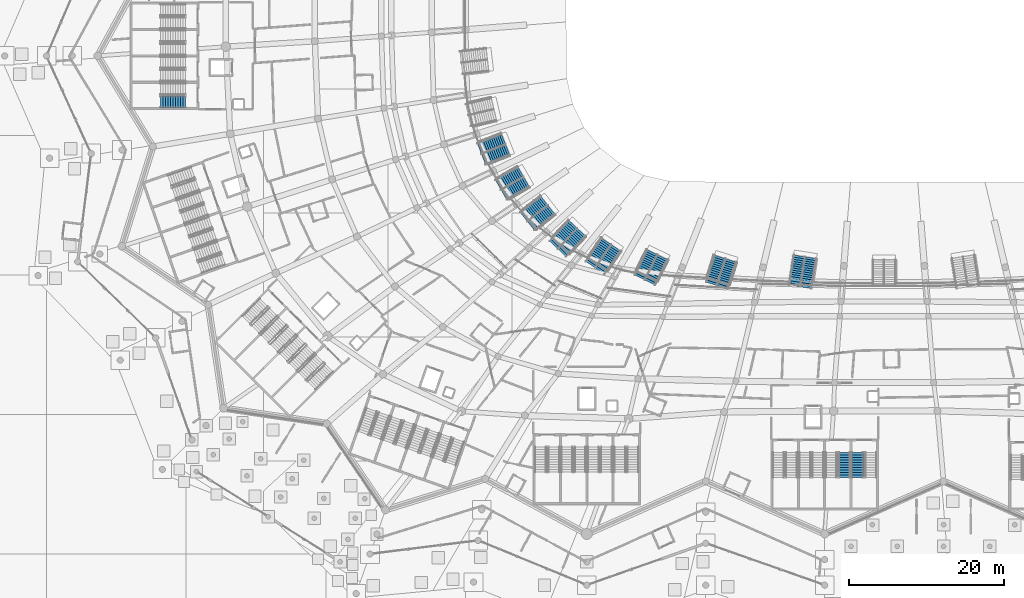
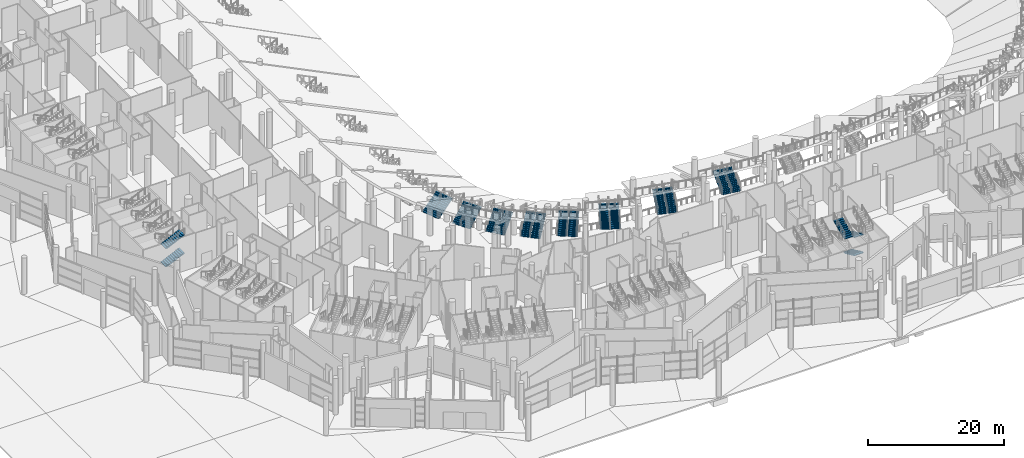
# One storey, part 162 of 255: 21 stair flights, 11 elements without a shape of their own.
"""IFC4 building model written with IfcOpenShell, lengths in metres."""

import ifcopenshell
import ifcopenshell.guid

model = None  # the IFC model being written
_history = None  # IfcOwnerHistory: only IFC2X3 demands one
_inside = {}  # id of a spatial element -> (the spatial element, [elements in it])
_under = {}  # id of a project, library or spatial element -> (it, [spatial elements below it])
_declared = {}  # id of a project -> (the project, [libraries it declares])
_typed = {}  # id of a type object -> (the type object, [elements of that type])
_made_of = {}  # id of a material, layer set ... -> (it, [elements and type objects made of it])


def new_model(schema):
    """Start an empty IFC model of exactly this schema.

    Asked for "IFC4X3", IfcOpenShell would pick the latest addendum, in which some entities
    have other attributes; the version numbers below select the first issue.
    IFC2X3 requires an IfcOwnerHistory on every rooted entity: one is made here for all.
    """
    global model, _history
    if schema == "IFC4X3":
        model = ifcopenshell.file(schema_version=(4, 3, 0, 0))
    else:
        model = ifcopenshell.file(schema=schema)
    _inside.clear()
    _under.clear()
    _declared.clear()
    _typed.clear()
    _made_of.clear()
    _history = None
    if model.schema == "IFC2X3":
        org = make("IfcOrganization", Name="unknown")
        user = make(
            "IfcPersonAndOrganization",
            ThePerson=make("IfcPerson", FamilyName="unknown"),
            TheOrganization=org,
        )
        app = make(
            "IfcApplication",
            ApplicationDeveloper=org,
            Version="unknown",
            ApplicationFullName="unknown",
            ApplicationIdentifier="unknown",
        )
        _history = make(
            "IfcOwnerHistory",
            OwningUser=user,
            OwningApplication=app,
            ChangeAction="ADDED",
            CreationDate=0,
        )
    return model


def make(cls, **values):
    """One entity of the class cls with the attributes given. An attribute that is None is left unset."""
    return model.create_entity(
        cls, **{name: value for name, value in values.items() if value is not None}
    )


def rooted(cls, **values):
    """An entity with a GlobalId (a new one), such as an element, a storey or a relation."""
    return make(cls, GlobalId=ifcopenshell.guid.new(), OwnerHistory=_history, **values)


def si_unit(unit_type, name, prefix=None):
    """IfcSIUnit, for example si_unit("LENGTHUNIT", "METRE", prefix="MILLI")."""
    return make("IfcSIUnit", UnitType=unit_type, Prefix=prefix, Name=name)


def assignment(units):
    """IfcUnitAssignment: the units of a project."""
    return None if units is None else make("IfcUnitAssignment", Units=units)


def point(xyz):
    """IfcCartesianPoint."""
    return None if xyz is None else make("IfcCartesianPoint", Coordinates=xyz)


def direction(xyz):
    """IfcDirection."""
    return None if xyz is None else make("IfcDirection", DirectionRatios=xyz)


def frame(location, z_axis=None, x_axis=None):
    """IfcAxis2Placement3D, a coordinate frame: its origin and axes. An axis left out is left unset."""
    return make(
        "IfcAxis2Placement3D",
        Location=point(location),
        Axis=direction(z_axis),
        RefDirection=direction(x_axis),
    )


def origin():
    """The frame at (0, 0, 0) with its axes left unset."""
    return frame((0.0, 0.0, 0.0))


def place(relative_to, where):
    """IfcLocalPlacement: puts the frame where relative to a parent placement (None: the world)."""
    return make(
        "IfcLocalPlacement", PlacementRelTo=relative_to, RelativePlacement=where
    )


def context(
    kind, dimensions, precision=None, world=None, true_north=None, identifier=None
):
    """IfcGeometricRepresentationContext, for example the 3D "Model" context."""
    return make(
        "IfcGeometricRepresentationContext",
        ContextIdentifier=identifier,
        ContextType=kind,
        CoordinateSpaceDimension=dimensions,
        Precision=precision,
        WorldCoordinateSystem=world,
        TrueNorth=true_north,
    )


def subcontext(parent, identifier, kind, view, scale=None):
    """IfcGeometricRepresentationSubContext, for example "Body" below "Model"."""
    return make(
        "IfcGeometricRepresentationSubContext",
        ContextIdentifier=identifier,
        ContextType=kind,
        ParentContext=parent,
        TargetScale=scale,
        TargetView=view,
    )


def project(units=None, contexts=None):
    """IfcProject with its units and contexts."""
    return rooted(
        "IfcProject",
        Name="project",
        RepresentationContexts=contexts,
        UnitsInContext=assignment(units),
    )


def spatial(cls, under=None, at=None, **own):
    """A site, building, storey or space (cls), placed at a placement, below another one or the project."""
    s = rooted(cls, ObjectPlacement=at, **own)
    if under is not None:
        _under.setdefault(under.id(), (under, []))[1].append(s)
    return s


def polyline(points):
    """IfcPolyline through the points."""
    return make("IfcPolyline", Points=[point(p) for p in points])


def outline(outer, holes=None, kind="AREA"):
    """IfcArbitraryClosedProfileDef: a profile drawn as a closed curve; with holes, ...WithVoids."""
    if holes is None:
        return make("IfcArbitraryClosedProfileDef", ProfileType=kind, OuterCurve=outer)
    return make(
        "IfcArbitraryProfileDefWithVoids",
        ProfileType=kind,
        OuterCurve=outer,
        InnerCurves=holes,
    )


def extrude(swept, where, along, depth):
    """IfcExtrudedAreaSolid: the profile swept, set in the frame where, extruded along a direction by depth."""
    return make(
        "IfcExtrudedAreaSolid",
        SweptArea=swept,
        Position=where,
        ExtrudedDirection=direction(along),
        Depth=depth,
    )


def shape(context_of_items, identifier, shape_type, items):
    """IfcShapeRepresentation: the items that make up one representation, for example the "Body"."""
    return make(
        "IfcShapeRepresentation",
        ContextOfItems=context_of_items,
        RepresentationIdentifier=identifier,
        RepresentationType=shape_type,
        Items=items,
    )


def material(Name=None, Category=None):
    """IfcMaterial."""
    return make("IfcMaterial", Name=Name, Category=Category)


def made_of(thing, what):
    """Note that an element or type object is made of a material, layer set ...; save() writes the relation."""
    if what is not None:
        _made_of.setdefault(what.id(), (what, []))[1].append(thing)
    return thing


def type_object(cls, material=None, **own):
    """A type object (cls), such as IfcWallType, which elements share."""
    return made_of(rooted(cls, **own), material)


def element(
    cls,
    number,
    at=None,
    inside=None,
    cuts=None,
    type_object=None,
    material=None,
    context=None,
    identifier="Body",
    shape_type=None,
    held_by="IfcProductDefinitionShape",
    body=None,
    shapes=None,
    **own,
):
    """One element of the class cls, such as IfcWall. Its Tag is "e" and its number.

    at: its placement. inside: the storey or other place that contains it. cuts: it is an
    opening in that element (IfcRelVoidsElement). A single representation is given by context,
    identifier, shape_type and body (its items); several are given by shapes. held_by: the class
    of the entity that holds the representations. save() writes the other relations.
    """
    e = rooted(cls, Tag="e%d" % number, ObjectPlacement=at, **own)
    if body is not None:
        shapes = [shape(context, identifier, shape_type, body)]
    if shapes is not None:
        e.Representation = make(held_by, Representations=shapes)
    if inside is not None:
        _inside.setdefault(inside.id(), (inside, []))[1].append(e)
    if cuts is not None:
        rooted(
            "IfcRelVoidsElement", RelatingBuildingElement=cuts, RelatedOpeningElement=e
        )
    if type_object is not None:
        _typed.setdefault(type_object.id(), (type_object, []))[1].append(e)
    return made_of(e, material)


def aggregate(whole, parts):
    """IfcRelAggregates: a whole, such as a stair, and the parts it consists of."""
    return rooted("IfcRelAggregates", RelatingObject=whole, RelatedObjects=parts)


def save(model, path):
    """Write the relations noted so far, then the file.

    IfcRelAggregates (storeys below a building ...), IfcRelContainedInSpatialStructure (elements
    in a storey), IfcRelDefinesByType, IfcRelAssociatesMaterial and IfcRelDeclares: one each for
    every whole, place, type object, material and project.
    """
    for whole, parts in _under.values():
        aggregate(whole, parts)
    for where, things in _inside.values():
        rooted(
            "IfcRelContainedInSpatialStructure",
            RelatedElements=things,
            RelatingStructure=where,
        )
    for kind, things in _typed.values():
        rooted("IfcRelDefinesByType", RelatedObjects=things, RelatingType=kind)
    for what, things in _made_of.values():
        rooted("IfcRelAssociatesMaterial", RelatedObjects=things, RelatingMaterial=what)
    for by, libraries in _declared.values():
        rooted("IfcRelDeclares", RelatingContext=by, RelatedDefinitions=libraries)
    model.write(path)


model = new_model("IFC4")

# Units and contexts
model_context = context("Model", 3, precision=1e-05, world=origin(), true_north=direction((0.0, 1.0)))
body_context = subcontext(model_context, "Body", "Model", "MODEL_VIEW")
ifc_project = project(units=[si_unit("LENGTHUNIT", "METRE"), si_unit("AREAUNIT", "SQUARE_METRE"), si_unit("VOLUMEUNIT", "CUBIC_METRE"), si_unit("PLANEANGLEUNIT", "RADIAN"), si_unit("MASSUNIT", "GRAM", prefix="KILO")], contexts=[model_context])

# Site, building, storey
site_placement = place(None, origin())
site = spatial("IfcSite", under=ifc_project, at=site_placement, CompositionType="ELEMENT")
building_placement = place(site_placement, origin())
building = spatial("IfcBuilding", under=site, at=building_placement, Name="Meseta Stadium", CompositionType="ELEMENT")
storey_placement = place(building_placement, origin())
storey = spatial("IfcBuildingStorey", under=building, at=storey_placement, Name="L00", CompositionType="ELEMENT", Elevation=0.0)

# Stair, stair flights
ifc_material_1 = material(Name="Concrete C40/50", Category="concrete")
stair_type_1 = type_object("IfcStairType", Name="Exit stair 4 flights 148 mm risers", PredefinedType="HALF_TURN_STAIR", material=ifc_material_1)
stair_1_placement = place(storey_placement, origin())
stair_1 = element("IfcStair", 1, at=stair_1_placement, inside=storey, type_object=stair_type_1, Name="ST76 L00", PredefinedType="HALF_TURN_STAIR")
ifc_material_2 = material(Name="Concrete C40/50", Category="concrete")
stair_flight_type_1 = type_object("IfcStairFlightType", Name="Exit stair flight 148 mm risers, 4 per storey", PredefinedType="STRAIGHT", material=ifc_material_2)
stair_flight_1_placement = place(storey_placement, frame((-93.300048828125, -49.699951171875, 1.625), z_axis=(0.0, 0.0, 1.0), x_axis=(1.0, 0.0, 0.0)))
stair_flight_1 = element("IfcStairFlight", 2, at=stair_flight_1_placement, type_object=stair_flight_type_1, Name="ST76 L00 flight 2", NumberOfRisers=11, NumberOfTreads=10, PredefinedType="STRAIGHT", RiserHeight=0.147727273, TreadLength=0.32, context=body_context, shape_type="SweptSolid", body=[
    extrude(outline(polyline([(0.0, 0.0), (0.0, 0.147705078125), (0.320068359375, 0.147705078125), (0.320068359375, 0.29541015625), (0.639892578125, 0.29541015625), (0.639892578125, 0.443115234375), (0.9599609375, 0.443115234375), (0.9599609375, 0.5908203125), (1.280029296875, 0.5908203125), (1.280029296875, 0.738525390625), (1.60009765625, 0.738525390625), (1.60009765625, 0.886474609375), (1.919921875, 0.886474609375), (1.919921875, 1.0341796875), (2.239990234375, 1.0341796875), (2.239990234375, 1.181884765625), (2.56005859375, 1.181884765625), (2.56005859375, 1.32958984375), (2.8798828125, 1.32958984375), (2.8798828125, 1.477294921875), (3.199951171875, 1.477294921875), (3.199951171875, 1.312255859375), (0.357666015625, 0.0), (0.0, 0.0)])), frame((0.0, 0.75, 0.0), z_axis=(0.0, -1.0, 0.0), x_axis=(1.0, 0.0, 0.0)), (0.0, 0.0, 1.0), 1.5),
])
stair_flight_2_placement = place(storey_placement, frame((-93.300048828125, -49.699951171875, 4.875), z_axis=(0.0, 0.0, 1.0), x_axis=(1.0, 0.0, 0.0)))
stair_flight_2 = element("IfcStairFlight", 3, at=stair_flight_2_placement, type_object=stair_flight_type_1, Name="ST76 L00 flight 4", NumberOfRisers=11, NumberOfTreads=10, PredefinedType="STRAIGHT", RiserHeight=0.147727273, TreadLength=0.32, context=body_context, shape_type="SweptSolid", body=[
    extrude(outline(polyline([(0.0, 0.0), (0.0, 0.147705078125), (0.320068359375, 0.147705078125), (0.320068359375, 0.29541015625), (0.639892578125, 0.29541015625), (0.639892578125, 0.443115234375), (0.9599609375, 0.443115234375), (0.9599609375, 0.5908203125), (1.280029296875, 0.5908203125), (1.280029296875, 0.738525390625), (1.60009765625, 0.738525390625), (1.60009765625, 0.886474609375), (1.919921875, 0.886474609375), (1.919921875, 1.0341796875), (2.239990234375, 1.0341796875), (2.239990234375, 1.181884765625), (2.56005859375, 1.181884765625), (2.56005859375, 1.32958984375), (2.8798828125, 1.32958984375), (2.8798828125, 1.477294921875), (3.199951171875, 1.477294921875), (3.199951171875, 1.312255859375), (0.357666015625, 0.0), (0.0, 0.0)])), frame((0.0, 0.75, 0.0), z_axis=(0.0, -1.0, 0.0), x_axis=(1.0, 0.0, 0.0)), (0.0, 0.0, 1.0), 1.5),
])
aggregate(stair_1, [stair_flight_1, stair_flight_2])

# Stair, stair flight
stair_2_placement = place(storey_placement, origin())
stair_2 = element("IfcStair", 4, at=stair_2_placement, inside=storey, type_object=stair_type_1, Name="ST95 L00", PredefinedType="HALF_TURN_STAIR")
stair_flight_3_placement = place(storey_placement, frame((-5.11669921875, -98.10009765625, 4.875), z_axis=(0.0, 0.0, 1.0), x_axis=(0.0, 1.0, 0.0)))
stair_flight_3 = element("IfcStairFlight", 5, at=stair_flight_3_placement, type_object=stair_flight_type_1, Name="ST95 L00 flight 4", NumberOfRisers=11, NumberOfTreads=10, PredefinedType="STRAIGHT", RiserHeight=0.147727273, TreadLength=0.32, context=body_context, shape_type="SweptSolid", body=[
    extrude(outline(polyline([(0.0, 0.0), (0.0, 0.147705078125), (0.320068359375, 0.147705078125), (0.320068359375, 0.29541015625), (0.639892578125, 0.29541015625), (0.639892578125, 0.443115234375), (0.9599609375, 0.443115234375), (0.9599609375, 0.5908203125), (1.280029296875, 0.5908203125), (1.280029296875, 0.738525390625), (1.60009765625, 0.738525390625), (1.60009765625, 0.886474609375), (1.919921875, 0.886474609375), (1.919921875, 1.0341796875), (2.239990234375, 1.0341796875), (2.239990234375, 1.181884765625), (2.56005859375, 1.181884765625), (2.56005859375, 1.32958984375), (2.8798828125, 1.32958984375), (2.8798828125, 1.477294921875), (3.199951171875, 1.477294921875), (3.199951171875, 1.312255859375), (0.357666015625, 0.0), (0.0, 0.0)])), frame((0.0, 0.75, 0.0), z_axis=(0.0, -1.0, 0.0), x_axis=(1.0, 0.0, 0.0)), (0.0, 0.0, 1.0), 1.5),
])
aggregate(stair_2, [stair_flight_3])

# Stair, stair flights
stair_3_placement = place(storey_placement, origin())
stair_3 = element("IfcStair", 6, at=stair_3_placement, inside=storey, type_object=stair_type_1, Name="ST96 L00", PredefinedType="HALF_TURN_STAIR")
stair_flight_4_placement = place(storey_placement, frame((-3.416748046875, -94.89990234375, 0.0), z_axis=(0.0, 0.0, 1.0), x_axis=(0.0, -1.0, 0.0)))
stair_flight_4 = element("IfcStairFlight", 7, at=stair_flight_4_placement, type_object=stair_flight_type_1, Name="ST96 L00 flight 1", NumberOfRisers=11, NumberOfTreads=10, PredefinedType="STRAIGHT", RiserHeight=0.147727273, TreadLength=0.32, context=body_context, shape_type="SweptSolid", body=[
    extrude(outline(polyline([(0.0, 0.0), (0.0, 0.147705078125), (0.320068359375, 0.147705078125), (0.320068359375, 0.29541015625), (0.639892578125, 0.29541015625), (0.639892578125, 0.443115234375), (0.9599609375, 0.443115234375), (0.9599609375, 0.5908203125), (1.280029296875, 0.5908203125), (1.280029296875, 0.738525390625), (1.60009765625, 0.738525390625), (1.60009765625, 0.886474609375), (1.919921875, 0.886474609375), (1.919921875, 1.0341796875), (2.239990234375, 1.0341796875), (2.239990234375, 1.181884765625), (2.56005859375, 1.181884765625), (2.56005859375, 1.32958984375), (2.8798828125, 1.32958984375), (2.8798828125, 1.477294921875), (3.199951171875, 1.477294921875), (3.199951171875, 1.312255859375), (0.357666015625, 0.0), (0.0, 0.0)])), frame((0.0, 0.75, 0.0), z_axis=(0.0, -1.0, 0.0), x_axis=(1.0, 0.0, 0.0)), (0.0, 0.0, 1.0), 1.5),
])
stair_flight_5_placement = place(storey_placement, frame((-3.416748046875, -94.89990234375, 3.25), z_axis=(0.0, 0.0, 1.0), x_axis=(0.0, -1.0, 0.0)))
stair_flight_5 = element("IfcStairFlight", 8, at=stair_flight_5_placement, type_object=stair_flight_type_1, Name="ST96 L00 flight 3", NumberOfRisers=11, NumberOfTreads=10, PredefinedType="STRAIGHT", RiserHeight=0.147727273, TreadLength=0.32, context=body_context, shape_type="SweptSolid", body=[
    extrude(outline(polyline([(0.0, 0.0), (0.0, 0.147705078125), (0.320068359375, 0.147705078125), (0.320068359375, 0.29541015625), (0.639892578125, 0.29541015625), (0.639892578125, 0.443115234375), (0.9599609375, 0.443115234375), (0.9599609375, 0.5908203125), (1.280029296875, 0.5908203125), (1.280029296875, 0.738525390625), (1.60009765625, 0.738525390625), (1.60009765625, 0.886474609375), (1.919921875, 0.886474609375), (1.919921875, 1.0341796875), (2.239990234375, 1.0341796875), (2.239990234375, 1.181884765625), (2.56005859375, 1.181884765625), (2.56005859375, 1.32958984375), (2.8798828125, 1.32958984375), (2.8798828125, 1.477294921875), (3.199951171875, 1.477294921875), (3.199951171875, 1.312255859375), (0.357666015625, 0.0), (0.0, 0.0)])), frame((0.0, 0.75, 0.0), z_axis=(0.0, -1.0, 0.0), x_axis=(1.0, 0.0, 0.0)), (0.0, 0.0, 1.0), 1.5),
])
aggregate(stair_3, [stair_flight_4, stair_flight_5])

ifc_material_3 = material(Name="Concrete C40/50", Category="concrete")
stair_type_2 = type_object("IfcStairType", Name="Vomitory stair 3000", PredefinedType="STRAIGHT_RUN_STAIR", material=ifc_material_3)
stair_4_placement = place(storey_placement, origin())
stair_4 = element("IfcStair", 9, at=stair_4_placement, inside=storey, type_object=stair_type_2, Name="Vomitory V-lower-39", PredefinedType="STRAIGHT_RUN_STAIR")
ifc_material_4 = material(Name="Concrete C40/50", Category="concrete")
stair_flight_type_2 = type_object("IfcStairFlightType", Name="Vomitory stair flight 1450", PredefinedType="STRAIGHT", material=ifc_material_4)
stair_flight_6_placement = place(storey_placement, frame((-52.209228515625, -55.6787109375, 0.0), z_axis=(0.0, 0.0, 1.0), x_axis=(0.930263326339, 0.366892550576, 0.0)))
stair_flight_6 = element("IfcStairFlight", 10, at=stair_flight_6_placement, type_object=stair_flight_type_2, Name="Vomitory V-lower-39 flight 1", NumberOfRisers=13, NumberOfTreads=12, PredefinedType="STRAIGHT", RiserHeight=0.164429, TreadLength=0.28, context=body_context, shape_type="SweptSolid", body=[
    extrude(outline(polyline([(0.0, 0.0), (0.0, 0.16455078125), (0.280029296875, 0.16455078125), (0.280029296875, 0.328857421875), (0.56005859375, 0.328857421875), (0.56005859375, 0.493408203125), (0.840087890625, 0.493408203125), (0.840087890625, 0.65771484375), (1.1201171875, 0.65771484375), (1.1201171875, 0.822265625), (1.39990234375, 0.822265625), (1.39990234375, 0.986572265625), (1.679931640625, 0.986572265625), (1.679931640625, 1.151123046875), (1.9599609375, 1.151123046875), (1.9599609375, 1.3154296875), (2.239990234375, 1.3154296875), (2.239990234375, 1.47998046875), (2.52001953125, 1.47998046875), (2.52001953125, 1.644287109375), (2.800048828125, 1.644287109375), (2.800048828125, 1.808837890625), (3.080078125, 1.808837890625), (3.080078125, 1.97314453125), (3.360107421875, 1.97314453125), (3.360107421875, 1.79931640625), (0.296142578125, 0.0), (0.0, 0.0)])), frame((0.0, 0.72509765625, 0.0), z_axis=(0.0, -1.0, 0.0), x_axis=(1.0, 0.0, 0.0)), (0.0, 0.0, 1.0), 1.449951171875),
])
stair_flight_7_placement = place(storey_placement, frame((-51.640625, -57.12060546875, 0.0), z_axis=(0.0, 0.0, 1.0), x_axis=(0.930263326339, 0.366892550576, 0.0)))
stair_flight_7 = element("IfcStairFlight", 11, at=stair_flight_7_placement, type_object=stair_flight_type_2, Name="Vomitory V-lower-39 flight 2", NumberOfRisers=13, NumberOfTreads=12, PredefinedType="STRAIGHT", RiserHeight=0.164429, TreadLength=0.28, context=body_context, shape_type="SweptSolid", body=[
    extrude(outline(polyline([(0.0, 0.0), (0.0, 0.16455078125), (0.280029296875, 0.16455078125), (0.280029296875, 0.328857421875), (0.56005859375, 0.328857421875), (0.56005859375, 0.493408203125), (0.840087890625, 0.493408203125), (0.840087890625, 0.65771484375), (1.1201171875, 0.65771484375), (1.1201171875, 0.822265625), (1.39990234375, 0.822265625), (1.39990234375, 0.986572265625), (1.679931640625, 0.986572265625), (1.679931640625, 1.151123046875), (1.9599609375, 1.151123046875), (1.9599609375, 1.3154296875), (2.239990234375, 1.3154296875), (2.239990234375, 1.47998046875), (2.52001953125, 1.47998046875), (2.52001953125, 1.644287109375), (2.800048828125, 1.644287109375), (2.800048828125, 1.808837890625), (3.080078125, 1.808837890625), (3.080078125, 1.97314453125), (3.360107421875, 1.97314453125), (3.360107421875, 1.79931640625), (0.296142578125, 0.0), (0.0, 0.0)])), frame((0.0, 0.72509765625, 0.0), z_axis=(0.0, -1.0, 0.0), x_axis=(1.0, 0.0, 0.0)), (0.0, 0.0, 1.0), 1.449951171875),
])
aggregate(stair_4, [stair_flight_6, stair_flight_7])

stair_5_placement = place(storey_placement, origin())
stair_5 = element("IfcStair", 12, at=stair_5_placement, inside=storey, type_object=stair_type_2, Name="Vomitory V-lower-40", PredefinedType="STRAIGHT_RUN_STAIR")
stair_flight_8_placement = place(storey_placement, frame((-49.777587890625, -60.35498046875, 0.0), z_axis=(0.0, 0.0, 1.0), x_axis=(0.867711670531, 0.497067859376, 0.0)))
stair_flight_8 = element("IfcStairFlight", 13, at=stair_flight_8_placement, type_object=stair_flight_type_2, Name="Vomitory V-lower-40 flight 1", NumberOfRisers=13, NumberOfTreads=12, PredefinedType="STRAIGHT", RiserHeight=0.168326, TreadLength=0.28, context=body_context, shape_type="SweptSolid", body=[
    extrude(outline(polyline([(0.0, 0.0), (0.0, 0.168212890625), (0.280029296875, 0.168212890625), (0.280029296875, 0.336669921875), (0.56005859375, 0.336669921875), (0.56005859375, 0.5048828125), (0.840087890625, 0.5048828125), (0.840087890625, 0.67333984375), (1.1201171875, 0.67333984375), (1.1201171875, 0.841552734375), (1.39990234375, 0.841552734375), (1.39990234375, 1.010009765625), (1.679931640625, 1.010009765625), (1.679931640625, 1.17822265625), (1.9599609375, 1.17822265625), (1.9599609375, 1.3466796875), (2.239990234375, 1.3466796875), (2.239990234375, 1.514892578125), (2.52001953125, 1.514892578125), (2.52001953125, 1.683349609375), (2.800048828125, 1.683349609375), (2.800048828125, 1.8515625), (3.080078125, 1.8515625), (3.080078125, 2.02001953125), (3.360107421875, 2.02001953125), (3.360107421875, 1.844970703125), (0.291015625, 0.0), (0.0, 0.0)])), frame((0.0, 0.72509765625, 0.0), z_axis=(0.0, -1.0, 0.0), x_axis=(1.0, 0.0, 0.0)), (0.0, 0.0, 1.0), 1.449951171875),
])
stair_flight_9_placement = place(storey_placement, frame((-49.007080078125, -61.699951171875, 0.0), z_axis=(0.0, 0.0, 1.0), x_axis=(0.867711670531, 0.497067859376, 0.0)))
stair_flight_9 = element("IfcStairFlight", 14, at=stair_flight_9_placement, type_object=stair_flight_type_2, Name="Vomitory V-lower-40 flight 2", NumberOfRisers=13, NumberOfTreads=12, PredefinedType="STRAIGHT", RiserHeight=0.168326, TreadLength=0.28, context=body_context, shape_type="SweptSolid", body=[
    extrude(outline(polyline([(0.0, 0.0), (0.0, 0.168212890625), (0.280029296875, 0.168212890625), (0.280029296875, 0.336669921875), (0.56005859375, 0.336669921875), (0.56005859375, 0.5048828125), (0.840087890625, 0.5048828125), (0.840087890625, 0.67333984375), (1.1201171875, 0.67333984375), (1.1201171875, 0.841552734375), (1.39990234375, 0.841552734375), (1.39990234375, 1.010009765625), (1.679931640625, 1.010009765625), (1.679931640625, 1.17822265625), (1.9599609375, 1.17822265625), (1.9599609375, 1.3466796875), (2.239990234375, 1.3466796875), (2.239990234375, 1.514892578125), (2.52001953125, 1.514892578125), (2.52001953125, 1.683349609375), (2.800048828125, 1.683349609375), (2.800048828125, 1.8515625), (3.080078125, 1.8515625), (3.080078125, 2.02001953125), (3.360107421875, 2.02001953125), (3.360107421875, 1.844970703125), (0.291015625, 0.0), (0.0, 0.0)])), frame((0.0, 0.72509765625, 0.0), z_axis=(0.0, -1.0, 0.0), x_axis=(1.0, 0.0, 0.0)), (0.0, 0.0, 1.0), 1.449951171875),
])
aggregate(stair_5, [stair_flight_8, stair_flight_9])

stair_6_placement = place(storey_placement, origin())
stair_6 = element("IfcStair", 15, at=stair_6_placement, inside=storey, type_object=stair_type_2, Name="Vomitory V-lower-41", PredefinedType="STRAIGHT_RUN_STAIR")
stair_flight_10_placement = place(storey_placement, frame((-46.481201171875, -64.47998046875, 0.0), z_axis=(0.0, 0.0, 1.0), x_axis=(0.786141751877, 0.618046232862, 0.0)))
stair_flight_10 = element("IfcStairFlight", 16, at=stair_flight_10_placement, type_object=stair_flight_type_2, Name="Vomitory V-lower-41 flight 1", NumberOfRisers=13, NumberOfTreads=12, PredefinedType="STRAIGHT", RiserHeight=0.172209, TreadLength=0.28, context=body_context, shape_type="SweptSolid", body=[
    extrude(outline(polyline([(0.0, 0.0), (0.0, 0.172119140625), (0.280029296875, 0.172119140625), (0.280029296875, 0.344482421875), (0.56005859375, 0.344482421875), (0.56005859375, 0.5166015625), (0.840087890625, 0.5166015625), (0.840087890625, 0.688720703125), (1.1201171875, 0.688720703125), (1.1201171875, 0.861083984375), (1.39990234375, 0.861083984375), (1.39990234375, 1.033203125), (1.679931640625, 1.033203125), (1.679931640625, 1.20556640625), (1.9599609375, 1.20556640625), (1.9599609375, 1.377685546875), (2.239990234375, 1.377685546875), (2.239990234375, 1.5498046875), (2.52001953125, 1.5498046875), (2.52001953125, 1.72216796875), (2.800048828125, 1.72216796875), (2.800048828125, 1.894287109375), (3.080078125, 1.894287109375), (3.080078125, 2.06640625), (3.360107421875, 2.06640625), (3.360107421875, 1.890625), (0.2861328125, 0.0), (0.0, 0.0)])), frame((0.0, 0.72509765625, 0.0), z_axis=(0.0, -1.0, 0.0), x_axis=(1.0, 0.0, 0.0)), (0.0, 0.0, 1.0), 1.449951171875),
])
stair_flight_11_placement = place(storey_placement, frame((-45.523193359375, -65.698486328125, 0.0), z_axis=(0.0, 0.0, 1.0), x_axis=(0.786141751877, 0.618046232862, 0.0)))
stair_flight_11 = element("IfcStairFlight", 17, at=stair_flight_11_placement, type_object=stair_flight_type_2, Name="Vomitory V-lower-41 flight 2", NumberOfRisers=13, NumberOfTreads=12, PredefinedType="STRAIGHT", RiserHeight=0.172209, TreadLength=0.28, context=body_context, shape_type="SweptSolid", body=[
    extrude(outline(polyline([(0.0, 0.0), (0.0, 0.172119140625), (0.280029296875, 0.172119140625), (0.280029296875, 0.344482421875), (0.56005859375, 0.344482421875), (0.56005859375, 0.5166015625), (0.840087890625, 0.5166015625), (0.840087890625, 0.688720703125), (1.1201171875, 0.688720703125), (1.1201171875, 0.861083984375), (1.39990234375, 0.861083984375), (1.39990234375, 1.033203125), (1.679931640625, 1.033203125), (1.679931640625, 1.20556640625), (1.9599609375, 1.20556640625), (1.9599609375, 1.377685546875), (2.239990234375, 1.377685546875), (2.239990234375, 1.5498046875), (2.52001953125, 1.5498046875), (2.52001953125, 1.72216796875), (2.800048828125, 1.72216796875), (2.800048828125, 1.894287109375), (3.080078125, 1.894287109375), (3.080078125, 2.06640625), (3.360107421875, 2.06640625), (3.360107421875, 1.890625), (0.2861328125, 0.0), (0.0, 0.0)])), frame((0.0, 0.72509765625, 0.0), z_axis=(0.0, -1.0, 0.0), x_axis=(1.0, 0.0, 0.0)), (0.0, 0.0, 1.0), 1.449951171875),
])
aggregate(stair_6, [stair_flight_10, stair_flight_11])

stair_7_placement = place(storey_placement, origin())
stair_7 = element("IfcStair", 18, at=stair_7_placement, inside=storey, type_object=stair_type_2, Name="Vomitory V-lower-42", PredefinedType="STRAIGHT_RUN_STAIR")
stair_flight_12_placement = place(storey_placement, frame((-42.6298828125, -68.103759765625, 0.0), z_axis=(0.0, 0.0, 1.0), x_axis=(0.686064733008, 0.72754050205, 0.0)))
stair_flight_12 = element("IfcStairFlight", 19, at=stair_flight_12_placement, type_object=stair_flight_type_2, Name="Vomitory V-lower-42 flight 1", NumberOfRisers=14, NumberOfTreads=13, PredefinedType="STRAIGHT", RiserHeight=0.163499, TreadLength=0.28, context=body_context, shape_type="SweptSolid", body=[
    extrude(outline(polyline([(0.0, 0.0), (0.0, 0.16357421875), (0.280029296875, 0.16357421875), (0.280029296875, 0.326904296875), (0.56005859375, 0.326904296875), (0.56005859375, 0.490478515625), (0.840087890625, 0.490478515625), (0.840087890625, 0.654052734375), (1.1201171875, 0.654052734375), (1.1201171875, 0.8173828125), (1.39990234375, 0.8173828125), (1.39990234375, 0.98095703125), (1.679931640625, 0.98095703125), (1.679931640625, 1.14453125), (1.9599609375, 1.14453125), (1.9599609375, 1.30810546875), (2.239990234375, 1.30810546875), (2.239990234375, 1.471435546875), (2.52001953125, 1.471435546875), (2.52001953125, 1.635009765625), (2.800048828125, 1.635009765625), (2.800048828125, 1.798583984375), (3.080078125, 1.798583984375), (3.080078125, 1.9619140625), (3.360107421875, 1.9619140625), (3.360107421875, 2.12548828125), (3.639892578125, 2.12548828125), (3.639892578125, 1.951904296875), (0.29736328125, 0.0), (0.0, 0.0)])), frame((0.0, 0.72509765625, 0.0), z_axis=(0.0, -1.0, 0.0), x_axis=(1.0, 0.0, 0.0)), (0.0, 0.0, 1.0), 1.449951171875),
])
stair_flight_13_placement = place(storey_placement, frame((-41.502197265625, -69.167236328125, 0.0), z_axis=(0.0, 0.0, 1.0), x_axis=(0.686064733008, 0.72754050205, 0.0)))
stair_flight_13 = element("IfcStairFlight", 20, at=stair_flight_13_placement, type_object=stair_flight_type_2, Name="Vomitory V-lower-42 flight 2", NumberOfRisers=14, NumberOfTreads=13, PredefinedType="STRAIGHT", RiserHeight=0.163499, TreadLength=0.28, context=body_context, shape_type="SweptSolid", body=[
    extrude(outline(polyline([(0.0, 0.0), (0.0, 0.16357421875), (0.280029296875, 0.16357421875), (0.280029296875, 0.326904296875), (0.56005859375, 0.326904296875), (0.56005859375, 0.490478515625), (0.840087890625, 0.490478515625), (0.840087890625, 0.654052734375), (1.1201171875, 0.654052734375), (1.1201171875, 0.8173828125), (1.39990234375, 0.8173828125), (1.39990234375, 0.98095703125), (1.679931640625, 0.98095703125), (1.679931640625, 1.14453125), (1.9599609375, 1.14453125), (1.9599609375, 1.30810546875), (2.239990234375, 1.30810546875), (2.239990234375, 1.471435546875), (2.52001953125, 1.471435546875), (2.52001953125, 1.635009765625), (2.800048828125, 1.635009765625), (2.800048828125, 1.798583984375), (3.080078125, 1.798583984375), (3.080078125, 1.9619140625), (3.360107421875, 1.9619140625), (3.360107421875, 2.12548828125), (3.639892578125, 2.12548828125), (3.639892578125, 1.951904296875), (0.29736328125, 0.0), (0.0, 0.0)])), frame((0.0, 0.72509765625, 0.0), z_axis=(0.0, -1.0, 0.0), x_axis=(1.0, 0.0, 0.0)), (0.0, 0.0, 1.0), 1.449951171875),
])
aggregate(stair_7, [stair_flight_12, stair_flight_13])

stair_8_placement = place(storey_placement, origin())
stair_8 = element("IfcStair", 21, at=stair_8_placement, inside=storey, type_object=stair_type_2, Name="Vomitory V-lower-43", PredefinedType="STRAIGHT_RUN_STAIR")
stair_flight_14_placement = place(storey_placement, frame((-37.889892578125, -70.636474609375, 0.0), z_axis=(0.0, 0.0, 1.0), x_axis=(0.567899772853, 0.82309771473, 0.0)))
stair_flight_14 = element("IfcStairFlight", 22, at=stair_flight_14_placement, type_object=stair_flight_type_2, Name="Vomitory V-lower-43 flight 1", NumberOfRisers=14, NumberOfTreads=13, PredefinedType="STRAIGHT", RiserHeight=0.163434, TreadLength=0.28, context=body_context, shape_type="SweptSolid", body=[
    extrude(outline(polyline([(0.0, 0.0), (0.0, 0.163330078125), (0.280029296875, 0.163330078125), (0.280029296875, 0.326904296875), (0.56005859375, 0.326904296875), (0.56005859375, 0.490234375), (0.840087890625, 0.490234375), (0.840087890625, 0.65380859375), (1.1201171875, 0.65380859375), (1.1201171875, 0.817138671875), (1.39990234375, 0.817138671875), (1.39990234375, 0.980712890625), (1.679931640625, 0.980712890625), (1.679931640625, 1.14404296875), (1.9599609375, 1.14404296875), (1.9599609375, 1.307373046875), (2.239990234375, 1.307373046875), (2.239990234375, 1.470947265625), (2.52001953125, 1.470947265625), (2.52001953125, 1.63427734375), (2.800048828125, 1.63427734375), (2.800048828125, 1.7978515625), (3.080078125, 1.7978515625), (3.080078125, 1.961181640625), (3.360107421875, 1.961181640625), (3.360107421875, 2.124755859375), (3.639892578125, 2.124755859375), (3.639892578125, 1.951171875), (0.29736328125, 0.0), (0.0, 0.0)])), frame((0.0, 0.72509765625, 0.0), z_axis=(0.0, -1.0, 0.0), x_axis=(1.0, 0.0, 0.0)), (0.0, 0.0, 1.0), 1.449951171875),
])
stair_flight_15_placement = place(storey_placement, frame((-36.614013671875, -71.5166015625, 0.0), z_axis=(0.0, 0.0, 1.0), x_axis=(0.567899772853, 0.82309771473, 0.0)))
stair_flight_15 = element("IfcStairFlight", 23, at=stair_flight_15_placement, type_object=stair_flight_type_2, Name="Vomitory V-lower-43 flight 2", NumberOfRisers=14, NumberOfTreads=13, PredefinedType="STRAIGHT", RiserHeight=0.163434, TreadLength=0.28, context=body_context, shape_type="SweptSolid", body=[
    extrude(outline(polyline([(0.0, 0.0), (0.0, 0.163330078125), (0.280029296875, 0.163330078125), (0.280029296875, 0.326904296875), (0.56005859375, 0.326904296875), (0.56005859375, 0.490234375), (0.840087890625, 0.490234375), (0.840087890625, 0.65380859375), (1.1201171875, 0.65380859375), (1.1201171875, 0.817138671875), (1.39990234375, 0.817138671875), (1.39990234375, 0.980712890625), (1.679931640625, 0.980712890625), (1.679931640625, 1.14404296875), (1.9599609375, 1.14404296875), (1.9599609375, 1.307373046875), (2.239990234375, 1.307373046875), (2.239990234375, 1.470947265625), (2.52001953125, 1.470947265625), (2.52001953125, 1.63427734375), (2.800048828125, 1.63427734375), (2.800048828125, 1.7978515625), (3.080078125, 1.7978515625), (3.080078125, 1.961181640625), (3.360107421875, 1.961181640625), (3.360107421875, 2.124755859375), (3.639892578125, 2.124755859375), (3.639892578125, 1.951171875), (0.29736328125, 0.0), (0.0, 0.0)])), frame((0.0, 0.72509765625, 0.0), z_axis=(0.0, -1.0, 0.0), x_axis=(1.0, 0.0, 0.0)), (0.0, 0.0, 1.0), 1.449951171875),
])
aggregate(stair_8, [stair_flight_14, stair_flight_15])

stair_9_placement = place(storey_placement, origin())
stair_9 = element("IfcStair", 24, at=stair_9_placement, inside=storey, type_object=stair_type_2, Name="Vomitory V-lower-44", PredefinedType="STRAIGHT_RUN_STAIR")
stair_flight_16_placement = place(storey_placement, frame((-31.527587890625, -72.310791015625, 0.0), z_axis=(0.0, 0.0, 1.0), x_axis=(0.437966379942, 0.898991351483, 0.0)))
stair_flight_16 = element("IfcStairFlight", 25, at=stair_flight_16_placement, type_object=stair_flight_type_2, Name="Vomitory V-lower-44 flight 1", NumberOfRisers=14, NumberOfTreads=13, PredefinedType="STRAIGHT", RiserHeight=0.16719, TreadLength=0.28, context=body_context, shape_type="SweptSolid", body=[
    extrude(outline(polyline([(0.0, 0.0), (0.0, 0.167236328125), (0.280029296875, 0.167236328125), (0.280029296875, 0.33447265625), (0.56005859375, 0.33447265625), (0.56005859375, 0.50146484375), (0.840087890625, 0.50146484375), (0.840087890625, 0.668701171875), (1.1201171875, 0.668701171875), (1.1201171875, 0.8359375), (1.39990234375, 0.8359375), (1.39990234375, 1.003173828125), (1.679931640625, 1.003173828125), (1.679931640625, 1.17041015625), (1.9599609375, 1.17041015625), (1.9599609375, 1.33740234375), (2.239990234375, 1.33740234375), (2.239990234375, 1.504638671875), (2.52001953125, 1.504638671875), (2.52001953125, 1.671875), (2.800048828125, 1.671875), (2.800048828125, 1.839111328125), (3.080078125, 1.839111328125), (3.080078125, 2.00634765625), (3.360107421875, 2.00634765625), (3.360107421875, 2.173583984375), (3.639892578125, 2.173583984375), (3.639892578125, 1.998779296875), (0.29248046875, 0.0), (0.0, 0.0)])), frame((0.0, 0.72509765625, 0.0), z_axis=(0.0, -1.0, 0.0), x_axis=(1.0, 0.0, 0.0)), (0.0, 0.0, 1.0), 1.449951171875),
])
stair_flight_17_placement = place(storey_placement, frame((-30.13427734375, -72.98974609375, 0.0), z_axis=(0.0, 0.0, 1.0), x_axis=(0.437966379942, 0.898991351483, 0.0)))
stair_flight_17 = element("IfcStairFlight", 26, at=stair_flight_17_placement, type_object=stair_flight_type_2, Name="Vomitory V-lower-44 flight 2", NumberOfRisers=14, NumberOfTreads=13, PredefinedType="STRAIGHT", RiserHeight=0.16719, TreadLength=0.28, context=body_context, shape_type="SweptSolid", body=[
    extrude(outline(polyline([(0.0, 0.0), (0.0, 0.167236328125), (0.280029296875, 0.167236328125), (0.280029296875, 0.33447265625), (0.56005859375, 0.33447265625), (0.56005859375, 0.50146484375), (0.840087890625, 0.50146484375), (0.840087890625, 0.668701171875), (1.1201171875, 0.668701171875), (1.1201171875, 0.8359375), (1.39990234375, 0.8359375), (1.39990234375, 1.003173828125), (1.679931640625, 1.003173828125), (1.679931640625, 1.17041015625), (1.9599609375, 1.17041015625), (1.9599609375, 1.33740234375), (2.239990234375, 1.33740234375), (2.239990234375, 1.504638671875), (2.52001953125, 1.504638671875), (2.52001953125, 1.671875), (2.800048828125, 1.671875), (2.800048828125, 1.839111328125), (3.080078125, 1.839111328125), (3.080078125, 2.00634765625), (3.360107421875, 2.00634765625), (3.360107421875, 2.173583984375), (3.639892578125, 2.173583984375), (3.639892578125, 1.998779296875), (0.29248046875, 0.0), (0.0, 0.0)])), frame((0.0, 0.72509765625, 0.0), z_axis=(0.0, -1.0, 0.0), x_axis=(1.0, 0.0, 0.0)), (0.0, 0.0, 1.0), 1.449951171875),
])
aggregate(stair_9, [stair_flight_16, stair_flight_17])

stair_10_placement = place(storey_placement, origin())
stair_10 = element("IfcStair", 27, at=stair_10_placement, inside=storey, type_object=stair_type_2, Name="Vomitory V-lower-45", PredefinedType="STRAIGHT_RUN_STAIR")
stair_flight_18_placement = place(storey_placement, frame((-22.2958984375, -73.126708984375, 0.0), z_axis=(0.0, 0.0, 1.0), x_axis=(0.302579501013, 0.953124150133, 0.0)))
stair_flight_18 = element("IfcStairFlight", 28, at=stair_flight_18_placement, type_object=stair_flight_type_2, Name="Vomitory V-lower-45 flight 1", NumberOfRisers=14, NumberOfTreads=13, PredefinedType="STRAIGHT", RiserHeight=0.163589, TreadLength=0.28, context=body_context, shape_type="SweptSolid", body=[
    extrude(outline(polyline([(0.0, 0.0), (0.0, 0.16357421875), (0.280029296875, 0.16357421875), (0.280029296875, 0.3271484375), (0.56005859375, 0.3271484375), (0.56005859375, 0.49072265625), (0.840087890625, 0.49072265625), (0.840087890625, 0.654296875), (1.1201171875, 0.654296875), (1.1201171875, 0.81787109375), (1.39990234375, 0.81787109375), (1.39990234375, 0.9814453125), (1.679931640625, 0.9814453125), (1.679931640625, 1.14501953125), (1.9599609375, 1.14501953125), (1.9599609375, 1.30859375), (2.239990234375, 1.30859375), (2.239990234375, 1.472412109375), (2.52001953125, 1.472412109375), (2.52001953125, 1.635986328125), (2.800048828125, 1.635986328125), (2.800048828125, 1.799560546875), (3.080078125, 1.799560546875), (3.080078125, 1.963134765625), (3.360107421875, 1.963134765625), (3.360107421875, 2.126708984375), (3.639892578125, 2.126708984375), (3.639892578125, 1.953125), (0.297119140625, 0.0), (0.0, 0.0)])), frame((0.0, 0.72509765625, 0.0), z_axis=(0.0, -1.0, 0.0), x_axis=(1.0, 0.0, 0.0)), (0.0, 0.0, 1.0), 1.449951171875),
])
stair_flight_19_placement = place(storey_placement, frame((-20.818603515625, -73.595703125, 0.0), z_axis=(0.0, 0.0, 1.0), x_axis=(0.302579501013, 0.953124150133, 0.0)))
stair_flight_19 = element("IfcStairFlight", 29, at=stair_flight_19_placement, type_object=stair_flight_type_2, Name="Vomitory V-lower-45 flight 2", NumberOfRisers=14, NumberOfTreads=13, PredefinedType="STRAIGHT", RiserHeight=0.163589, TreadLength=0.28, context=body_context, shape_type="SweptSolid", body=[
    extrude(outline(polyline([(0.0, 0.0), (0.0, 0.16357421875), (0.280029296875, 0.16357421875), (0.280029296875, 0.3271484375), (0.56005859375, 0.3271484375), (0.56005859375, 0.49072265625), (0.840087890625, 0.49072265625), (0.840087890625, 0.654296875), (1.1201171875, 0.654296875), (1.1201171875, 0.81787109375), (1.39990234375, 0.81787109375), (1.39990234375, 0.9814453125), (1.679931640625, 0.9814453125), (1.679931640625, 1.14501953125), (1.9599609375, 1.14501953125), (1.9599609375, 1.30859375), (2.239990234375, 1.30859375), (2.239990234375, 1.472412109375), (2.52001953125, 1.472412109375), (2.52001953125, 1.635986328125), (2.800048828125, 1.635986328125), (2.800048828125, 1.799560546875), (3.080078125, 1.799560546875), (3.080078125, 1.963134765625), (3.360107421875, 1.963134765625), (3.360107421875, 2.126708984375), (3.639892578125, 2.126708984375), (3.639892578125, 1.953125), (0.297119140625, 0.0), (0.0, 0.0)])), frame((0.0, 0.72509765625, 0.0), z_axis=(0.0, -1.0, 0.0), x_axis=(1.0, 0.0, 0.0)), (0.0, 0.0, 1.0), 1.449951171875),
])
aggregate(stair_10, [stair_flight_18, stair_flight_19])

stair_11_placement = place(storey_placement, origin())
stair_11 = element("IfcStair", 30, at=stair_11_placement, inside=storey, type_object=stair_type_2, Name="Vomitory V-lower-46", PredefinedType="STRAIGHT_RUN_STAIR")
stair_flight_20_placement = place(storey_placement, frame((-11.569091796875, -73.4013671875, 0.0), z_axis=(0.0, 0.0, 1.0), x_axis=(0.15676715754, 0.987635589839, 0.0)))
stair_flight_20 = element("IfcStairFlight", 31, at=stair_flight_20_placement, type_object=stair_flight_type_2, Name="Vomitory V-lower-46 flight 1", NumberOfRisers=15, NumberOfTreads=14, PredefinedType="STRAIGHT", RiserHeight=0.132206, TreadLength=0.28, context=body_context, shape_type="SweptSolid", body=[
    extrude(outline(polyline([(0.0, 0.0), (0.0, 0.13232421875), (0.280029296875, 0.13232421875), (0.280029296875, 0.264404296875), (0.56005859375, 0.264404296875), (0.56005859375, 0.396728515625), (0.840087890625, 0.396728515625), (0.840087890625, 0.52880859375), (1.1201171875, 0.52880859375), (1.1201171875, 0.6611328125), (1.39990234375, 0.6611328125), (1.39990234375, 0.793212890625), (1.679931640625, 0.793212890625), (1.679931640625, 0.925537109375), (1.9599609375, 0.925537109375), (1.9599609375, 1.0576171875), (2.239990234375, 1.0576171875), (2.239990234375, 1.18994140625), (2.52001953125, 1.18994140625), (2.52001953125, 1.322021484375), (2.800048828125, 1.322021484375), (2.800048828125, 1.454345703125), (3.080078125, 1.454345703125), (3.080078125, 1.58642578125), (3.360107421875, 1.58642578125), (3.360107421875, 1.71875), (3.639892578125, 1.71875), (3.639892578125, 1.850830078125), (3.919921875, 1.850830078125), (3.919921875, 1.68505859375), (0.35107421875, 0.0), (0.0, 0.0)])), frame((0.0, 0.72509765625, 0.0), z_axis=(0.0, -1.0, 0.0), x_axis=(1.0, 0.0, 0.0)), (0.0, 0.0, 1.0), 1.449951171875),
])
stair_flight_21_placement = place(storey_placement, frame((-10.038330078125, -73.644287109375, 0.0), z_axis=(0.0, 0.0, 1.0), x_axis=(0.15676715754, 0.987635589839, 0.0)))
stair_flight_21 = element("IfcStairFlight", 32, at=stair_flight_21_placement, type_object=stair_flight_type_2, Name="Vomitory V-lower-46 flight 2", NumberOfRisers=15, NumberOfTreads=14, PredefinedType="STRAIGHT", RiserHeight=0.132206, TreadLength=0.28, context=body_context, shape_type="SweptSolid", body=[
    extrude(outline(polyline([(0.0, 0.0), (0.0, 0.13232421875), (0.280029296875, 0.13232421875), (0.280029296875, 0.264404296875), (0.56005859375, 0.264404296875), (0.56005859375, 0.396728515625), (0.840087890625, 0.396728515625), (0.840087890625, 0.52880859375), (1.1201171875, 0.52880859375), (1.1201171875, 0.6611328125), (1.39990234375, 0.6611328125), (1.39990234375, 0.793212890625), (1.679931640625, 0.793212890625), (1.679931640625, 0.925537109375), (1.9599609375, 0.925537109375), (1.9599609375, 1.0576171875), (2.239990234375, 1.0576171875), (2.239990234375, 1.18994140625), (2.52001953125, 1.18994140625), (2.52001953125, 1.322021484375), (2.800048828125, 1.322021484375), (2.800048828125, 1.454345703125), (3.080078125, 1.454345703125), (3.080078125, 1.58642578125), (3.360107421875, 1.58642578125), (3.360107421875, 1.71875), (3.639892578125, 1.71875), (3.639892578125, 1.850830078125), (3.919921875, 1.850830078125), (3.919921875, 1.68505859375), (0.35107421875, 0.0), (0.0, 0.0)])), frame((0.0, 0.72509765625, 0.0), z_axis=(0.0, -1.0, 0.0), x_axis=(1.0, 0.0, 0.0)), (0.0, 0.0, 1.0), 1.449951171875),
])
aggregate(stair_11, [stair_flight_20, stair_flight_21])

save(model, "model.ifc")
